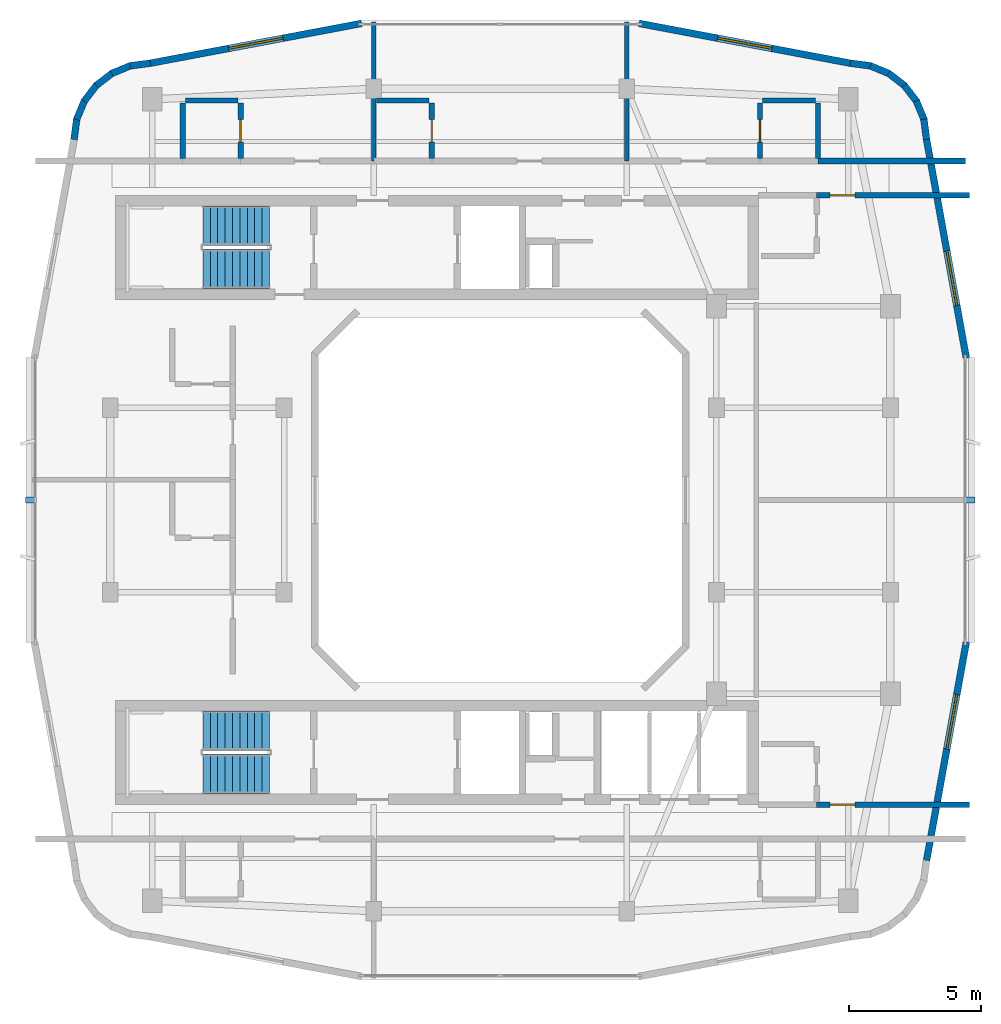
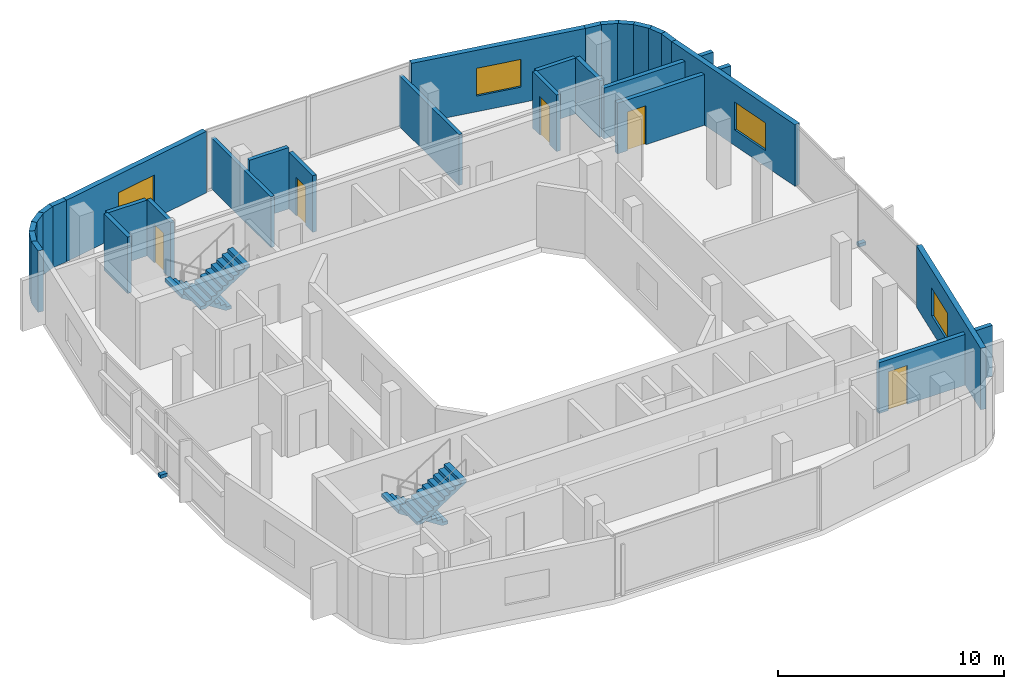
# One storey, part 7 of 10: 29 walls, 5 doors, 4 stair flights, 4 windows, 2 discrete accessories, 9 openings, 2 elements without a shape of their own.
"""IFC4 building model written with IfcOpenShell, lengths in metres."""

from ifc_helpers import new_model, si_unit, derived_unit, direction, frame, frame_2d, origin, origin_2d, place, context, subcontext, project, spatial, polyline, rectangle, outline, extrude, material, layer, layer_set, type_object, element, fill, aggregate, save


model = new_model("IFC4")

# Units and contexts
model_context = context("Model", 3, precision=1e-05, world=origin(), true_north=direction((0.0, 1.0)))
body_context = subcontext(model_context, "Body", "Model", "MODEL_VIEW")
ifc_project = project(units=[si_unit("LENGTHUNIT", "METRE"), si_unit("AREAUNIT", "SQUARE_METRE"), si_unit("VOLUMEUNIT", "CUBIC_METRE"), si_unit("PLANEANGLEUNIT", "RADIAN"), si_unit("MASSUNIT", "GRAM", prefix="KILO"), derived_unit("THERMALTRANSMITTANCEUNIT", [(si_unit("POWERUNIT", "WATT"), 1), (si_unit("LENGTHUNIT", "METRE"), -2), (si_unit("THERMODYNAMICTEMPERATUREUNIT", "KELVIN"), -1)])], contexts=[model_context])

# Site, building, storey
site_placement = place(None, origin())
site = spatial("IfcSite", under=ifc_project, at=site_placement, CompositionType="ELEMENT")
building_placement = place(site_placement, origin())
building = spatial("IfcBuilding", under=site, at=building_placement, Name="Kivonza Crest Hotel", CompositionType="ELEMENT")
storey_placement = place(building_placement, frame((0.0, 0.0, 250.39990234375)))
storey = spatial("IfcBuildingStorey", under=building, at=storey_placement, Name="L68", CompositionType="ELEMENT", Elevation=250.39990234375)

# Walls
ifc_material_1 = material(Name="High-density acoustic masonry inter-tenancy wall", Category="masonry")
ifc_layer_1 = layer(ifc_material_1, 0.179931640625)
ifc_layer_set_1 = layer_set([ifc_layer_1], Name="High-density acoustic masonry inter-tenancy wall")
wall_type_1 = type_object("IfcWallType", Name="WL-ACOU-180", PredefinedType="SOLIDWALL", material=ifc_layer_set_1)
for number, where, z_axis, x_axis, name in (
    (1, (16.199951171875, 37.860107421875, 0.0), (0.0, 0.0, 1.0), (0.0, 1.0, 0.0), "L68 interior partition WA-L68-T1N-DIV1"),
    (2, (25.800048828125, 37.860107421875, 0.0), (0.0, 0.0, 1.0), (0.0, 1.0, 0.0), "L68 interior partition WA-L68-T1N-DIV2"),
):
    element("IfcWall", number, at=place(storey_placement, frame(where, z_axis=z_axis, x_axis=x_axis)), inside=storey, type_object=wall_type_1, Name=name, PredefinedType="SOLIDWALL", context=body_context, shape_type="SweptSolid", body=[
        extrude(rectangle(XDim=5.27978515625, YDim=0.179931640625, at=frame_2d((2.639892578125, 0.0))), origin(), (0.0, 0.0, 1.0), 2.7451171875),
    ])
ifc_material_2 = material(Name="Autoclaved aerated concrete blockwork", Category="masonry")
ifc_layer_2 = layer(ifc_material_2, 0.219970703125)
ifc_layer_set_2 = layer_set([ifc_layer_2], Name="Autoclaved aerated concrete blockwork")
wall_type_2 = type_object("IfcWallType", Name="WL-ACOU-220", PredefinedType="SOLIDWALL", material=ifc_layer_set_2)
wall_1_placement = place(storey_placement, frame((33.050048828125, 37.860107421875, 0.0), z_axis=(0.0, 0.0, 1.0), x_axis=(1.0, 0.0, 0.0)))
element("IfcWall", 3, at=wall_1_placement, inside=storey, type_object=wall_type_2, Name="L68 interior partition WA-L68-N03-XCORR", PredefinedType="SOLIDWALL", context=body_context, shape_type="SweptSolid", body=[
    extrude(rectangle(XDim=5.58984375, YDim=0.219970703125, at=frame_2d((2.794921875, 0.0))), origin(), (0.0, 0.0, 1.0), 2.7451171875),
])

# Wall, opening, door
wall_2_placement = place(storey_placement, frame((33.0, 13.43994140625, 0.0), z_axis=(0.0, 0.0, 1.0), x_axis=(1.0, 0.0, 0.0)))
wall_2 = element("IfcWall", 4, at=wall_2_placement, inside=storey, type_object=wall_type_2, Name="L68 interior partition WA-L68-ES08-MCORR", PredefinedType="SOLIDWALL", context=body_context, shape_type="SweptSolid", body=[
    extrude(rectangle(XDim=5.800048828125, YDim=0.219970703125, at=frame_2d((2.89990234375, 0.0))), origin(), (0.0, 0.0, 1.0), 2.7451171875),
])
opening_1_placement = place(wall_2_placement, frame((0.5, 0.0, 0.0)))
opening_1 = element("IfcOpeningElement", 5, at=opening_1_placement, cuts=wall_2, Name="Opening DU-60", PredefinedType="OPENING", context=body_context, shape_type="SweptSolid", body=[
    extrude(rectangle(XDim=0.949951171875, YDim=2.10009765625, at=frame_2d((0.47509765625, 1.050048828125))), frame((0.0, 0.1201171875, 0.0), z_axis=(0.0, -1.0, 0.0), x_axis=(1.0, 0.0, 0.0)), (0.0, 0.0, 1.0), 0.239990234375),
])
ifc_material_3 = material(Name="Hardwood timber oak", Category="wood")
door_type_1 = type_object("IfcDoorType", Name="DR-UNIT-950", OperationType="NOTDEFINED", PredefinedType="DOOR", material=ifc_material_3)
door_1_placement = place(opening_1_placement, origin())
door_1 = element("IfcDoor", 6, at=door_1_placement, inside=storey, type_object=door_type_1, Name="L68 ES08 guest unit entrance fire door", OperationType="SINGLE_SWING_RIGHT", OverallHeight=2.10009765625, OverallWidth=0.949951171875, PredefinedType="DOOR", context=body_context, shape_type="SweptSolid", body=[
    extrude(rectangle(XDim=0.949951171875, YDim=2.10009765625, at=frame_2d((0.47509765625, 1.050048828125))), frame((0.0, 0.02490234375, 0.0), z_axis=(0.0, -1.0, 0.0), x_axis=(1.0, 0.0, 0.0)), (0.0, 0.0, 1.0), 0.050048828125),
])
fill(opening_1, door_1)

wall_3_placement = place(storey_placement, frame((33.0, 36.56005859375, 0.0), z_axis=(0.0, 0.0, 1.0), x_axis=(1.0, 0.0, 0.0)))
wall_3 = element("IfcWall", 7, at=wall_3_placement, inside=storey, type_object=wall_type_2, Name="L68 interior partition WA-L68-EN09-MCORR", PredefinedType="SOLIDWALL", context=body_context, shape_type="SweptSolid", body=[
    extrude(rectangle(XDim=5.800048828125, YDim=0.219970703125, at=frame_2d((2.89990234375, 0.0))), origin(), (0.0, 0.0, 1.0), 2.7451171875),
])
opening_2_placement = place(wall_3_placement, frame((0.5, 0.0, 0.0)))
opening_2 = element("IfcOpeningElement", 8, at=opening_2_placement, cuts=wall_3, Name="Opening DU-60", PredefinedType="OPENING", context=body_context, shape_type="SweptSolid", body=[
    extrude(rectangle(XDim=0.949951171875, YDim=2.10009765625, at=frame_2d((0.47509765625, 1.050048828125))), frame((0.0, 0.1201171875, 0.0), z_axis=(0.0, -1.0, 0.0), x_axis=(1.0, 0.0, 0.0)), (0.0, 0.0, 1.0), 0.239990234375),
])
door_2_placement = place(opening_2_placement, frame((0.949951171875, 0.0, 0.0), z_axis=(0.0, 0.0, 1.0), x_axis=(-1.0, 0.0, 0.0)))
door_2 = element("IfcDoor", 9, at=door_2_placement, inside=storey, type_object=door_type_1, Name="L68 EN09 guest unit entrance fire door", OperationType="SINGLE_SWING_LEFT", OverallHeight=2.10009765625, OverallWidth=0.949951171875, PredefinedType="DOOR", context=body_context, shape_type="SweptSolid", body=[
    extrude(rectangle(XDim=0.949951171875, YDim=2.10009765625, at=frame_2d((0.47509765625, 1.050048828125))), frame((0.0, 0.02490234375, 0.0), z_axis=(0.0, -1.0, 0.0), x_axis=(1.0, 0.0, 0.0)), (0.0, 0.0, 1.0), 0.050048828125),
])
fill(opening_2, door_2)

# Wall, opening, window
ifc_material_4 = material(Name="Precast concrete C40/50", Category="concrete")
ifc_layer_3 = layer(ifc_material_4, 0.260009765625)
ifc_layer_set_3 = layer_set([ifc_layer_3], Name="Precast concrete C40/50")
wall_type_3 = type_object("IfcWallType", Name="WL-EXT-260", PredefinedType="STANDARD", material=ifc_layer_set_3)
wall_4_placement = place(storey_placement, frame((37.1708984375, 11.31494140625, 0.0), z_axis=(0.0, 0.0, 1.0), x_axis=(0.179061111398, 0.983837953316, 0.0)))
wall_4 = element("IfcWall", 10, at=wall_4_placement, inside=storey, type_object=wall_type_3, Name="L68 T1 exterior insulated wall 16", PredefinedType="STANDARD", context=body_context, shape_type="SweptSolid", body=[
    extrude(rectangle(XDim=8.4384765625, YDim=0.260009765625, at=frame_2d((4.21923828125, 0.0))), origin(), (0.0, 0.0, 1.0), 3.320068359375),
])
opening_3_placement = place(wall_4_placement, frame((4.30810546875, 0.0, 0.85009765625)))
opening_3 = element("IfcOpeningElement", 11, at=opening_3_placement, cuts=wall_4, Name="Opening WN-04", PredefinedType="OPENING", context=body_context, shape_type="SweptSolid", body=[
    extrude(rectangle(XDim=2.10009765625, YDim=1.5, at=frame_2d((1.050048828125, 0.75))), frame((0.0, 0.14013671875, 0.0), z_axis=(0.0, -1.0, 0.0), x_axis=(1.0, 0.0, 0.0)), (0.0, 0.0, 1.0), 0.280029296875),
])
ifc_material_5 = material(Name="Thermally broken bronze aluminium and low-E double glazing", Category="aluminium")
window_type = type_object("IfcWindowType", Name="WN-210x150", PartitioningType="DOUBLE_PANEL_VERTICAL", PredefinedType="WINDOW", material=ifc_material_5)
window_1_placement = place(opening_3_placement, origin())
window_1 = element("IfcWindow", 12, at=window_1_placement, inside=storey, type_object=window_type, Name="L68 T1 facade window 16", OverallHeight=1.5, OverallWidth=2.10009765625, PartitioningType="SINGLE_PANEL", PredefinedType="WINDOW", context=body_context, shape_type="SweptSolid", body=[
    extrude(rectangle(XDim=2.10009765625, YDim=1.5, at=frame_2d((1.050048828125, 0.75))), frame((0.0, 0.030029296875, 0.0), z_axis=(0.0, -1.0, 0.0), x_axis=(1.0, 0.0, 0.0)), (0.0, 0.0, 1.0), 0.06005859375),
])
fill(opening_3, window_1)

wall_5_placement = place(storey_placement, frame((38.681884765625, 30.383056640625, 0.0), z_axis=(0.0, 0.0, 1.0), x_axis=(-0.179061111398, 0.983837953316, 0.0)))
wall_5 = element("IfcWall", 13, at=wall_5_placement, inside=storey, type_object=wall_type_3, Name="L68 T1 exterior insulated wall 18", PredefinedType="STANDARD", context=body_context, shape_type="SweptSolid", body=[
    extrude(rectangle(XDim=8.4384765625, YDim=0.260009765625, at=frame_2d((4.21923828125, 0.0))), origin(), (0.0, 0.0, 1.0), 3.320068359375),
])
opening_4_placement = place(wall_5_placement, frame((2.030029296875, 0.0, 0.85009765625)))
opening_4 = element("IfcOpeningElement", 14, at=opening_4_placement, cuts=wall_5, Name="Opening WN-04", PredefinedType="OPENING", context=body_context, shape_type="SweptSolid", body=[
    extrude(rectangle(XDim=2.10009765625, YDim=1.5, at=frame_2d((1.050048828125, 0.75))), frame((0.0, 0.14013671875, 0.0), z_axis=(0.0, -1.0, 0.0), x_axis=(1.0, 0.0, 0.0)), (0.0, 0.0, 1.0), 0.280029296875),
])
window_2_placement = place(opening_4_placement, origin())
window_2 = element("IfcWindow", 15, at=window_2_placement, inside=storey, type_object=window_type, Name="L68 T1 facade window 18", OverallHeight=1.5, OverallWidth=2.10009765625, PartitioningType="SINGLE_PANEL", PredefinedType="WINDOW", context=body_context, shape_type="SweptSolid", body=[
    extrude(rectangle(XDim=2.10009765625, YDim=1.5, at=frame_2d((1.050048828125, 0.75))), frame((0.0, 0.030029296875, 0.0), z_axis=(0.0, -1.0, 0.0), x_axis=(1.0, 0.0, 0.0)), (0.0, 0.0, 1.0), 0.06005859375),
])
fill(opening_4, window_2)

# Walls
wall_6_placement = place(storey_placement, frame((37.172119140625, 38.675048828125, 0.0), z_axis=(0.0, 0.0, 1.0), x_axis=(-0.130729574419, 0.991418064377, 0.0)))
element("IfcWall", 16, at=wall_6_placement, inside=storey, type_object=wall_type_3, Name="L68 T1 exterior insulated wall 19", PredefinedType="STANDARD", context=body_context, shape_type="SweptSolid", body=[
    extrude(rectangle(XDim=0.780517578125, YDim=0.260009765625, at=frame_2d((0.39013671875, 0.0))), origin(), (0.0, 0.0, 1.0), 3.320068359375),
])
wall_7_placement = place(storey_placement, frame((37.087890625, 39.403076171875, 0.0), z_axis=(0.0, 0.0, 1.0), x_axis=(-0.382900540965, 0.923789573295, 0.0)))
element("IfcWall", 17, at=wall_7_placement, inside=storey, type_object=wall_type_3, Name="L68 T1 exterior insulated wall 20", PredefinedType="STANDARD", context=body_context, shape_type="SweptSolid", body=[
    extrude(rectangle(XDim=0.798828125, YDim=0.260009765625, at=frame_2d((0.3994140625, 0.0))), origin(), (0.0, 0.0, 1.0), 3.320068359375),
])
wall_8_placement = place(storey_placement, frame((36.81005859375, 40.10107421875, 0.0), z_axis=(0.0, 0.0, 1.0), x_axis=(-0.60916352983, 0.793044635519, 0.0)))
element("IfcWall", 18, at=wall_8_placement, inside=storey, type_object=wall_type_3, Name="L68 T1 exterior insulated wall 21", PredefinedType="STANDARD", context=body_context, shape_type="SweptSolid", body=[
    extrude(rectangle(XDim=0.7978515625, YDim=0.260009765625, at=frame_2d((0.39892578125, 0.0))), origin(), (0.0, 0.0, 1.0), 3.320068359375),
])
wall_9_placement = place(storey_placement, frame((36.362060546875, 40.702880859375, 0.0), z_axis=(0.0, 0.0, 1.0), x_axis=(-0.793158129381, 0.609015748398, 0.0)))
element("IfcWall", 19, at=wall_9_placement, inside=storey, type_object=wall_type_3, Name="L68 T1 exterior insulated wall 22", PredefinedType="STANDARD", context=body_context, shape_type="SweptSolid", body=[
    extrude(rectangle(XDim=0.798095703125, YDim=0.260009765625, at=frame_2d((0.39892578125, 0.0))), origin(), (0.0, 0.0, 1.0), 3.320068359375),
])
wall_10_placement = place(storey_placement, frame((35.77294921875, 41.16796875, 0.0), z_axis=(0.0, 0.0, 1.0), x_axis=(-0.923681457047, 0.383161279238, 0.0)))
element("IfcWall", 20, at=wall_10_placement, inside=storey, type_object=wall_type_3, Name="L68 T1 exterior insulated wall 23", PredefinedType="STANDARD", context=body_context, shape_type="SweptSolid", body=[
    extrude(rectangle(XDim=0.799072265625, YDim=0.260009765625, at=frame_2d((0.3994140625, 0.0))), origin(), (0.0, 0.0, 1.0), 3.320068359375),
])
wall_11_placement = place(storey_placement, frame((35.083984375, 41.466064453125, 0.0), z_axis=(0.0, 0.0, 1.0), x_axis=(-0.99153354416, 0.129850802102, 0.0)))
element("IfcWall", 21, at=wall_11_placement, inside=storey, type_object=wall_type_3, Name="L68 T1 exterior insulated wall 24", PredefinedType="STANDARD", context=body_context, shape_type="SweptSolid", body=[
    extrude(rectangle(XDim=0.81591796875, YDim=0.260009765625, at=frame_2d((0.407958984375, 0.0))), origin(), (0.0, 0.0, 1.0), 3.320068359375),
])

# Wall, opening, window
wall_12_placement = place(storey_placement, frame((34.283935546875, 41.571044921875, 0.0), z_axis=(0.0, 0.0, 1.0), x_axis=(-0.982719489139, 0.185101068789, 0.0)))
wall_12 = element("IfcWall", 22, at=wall_12_placement, inside=storey, type_object=wall_type_3, Name="L68 T1 exterior insulated wall 25", PredefinedType="STANDARD", context=body_context, shape_type="SweptSolid", body=[
    extrude(rectangle(XDim=8.1630859375, YDim=0.260009765625, at=frame_2d((4.08154296875, 0.0))), origin(), (0.0, 0.0, 1.0), 3.320068359375),
])
opening_5_placement = place(wall_12_placement, frame((3.031982421875, 0.0, 0.85009765625)))
opening_5 = element("IfcOpeningElement", 23, at=opening_5_placement, cuts=wall_12, Name="Opening WN-04", PredefinedType="OPENING", context=body_context, shape_type="SweptSolid", body=[
    extrude(rectangle(XDim=2.10009765625, YDim=1.5, at=frame_2d((1.050048828125, 0.75))), frame((0.0, 0.14013671875, 0.0), z_axis=(0.0, -1.0, 0.0), x_axis=(1.0, 0.0, 0.0)), (0.0, 0.0, 1.0), 0.280029296875),
])
window_3_placement = place(opening_5_placement, origin())
window_3 = element("IfcWindow", 24, at=window_3_placement, inside=storey, type_object=window_type, Name="L68 T1 facade window 25", OverallHeight=1.5, OverallWidth=2.10009765625, PartitioningType="SINGLE_PANEL", PredefinedType="WINDOW", context=body_context, shape_type="SweptSolid", body=[
    extrude(rectangle(XDim=2.10009765625, YDim=1.5, at=frame_2d((1.050048828125, 0.75))), frame((0.0, 0.030029296875, 0.0), z_axis=(0.0, -1.0, 0.0), x_axis=(1.0, 0.0, 0.0)), (0.0, 0.0, 1.0), 0.06005859375),
])
fill(opening_5, window_3)

wall_13_placement = place(storey_placement, frame((15.738037109375, 43.08203125, 0.0), z_axis=(0.0, 0.0, 1.0), x_axis=(-0.982719489139, -0.185101068789, 0.0)))
wall_13 = element("IfcWall", 25, at=wall_13_placement, inside=storey, type_object=wall_type_3, Name="L68 T1 exterior insulated wall 27", PredefinedType="STANDARD", context=body_context, shape_type="SweptSolid", body=[
    extrude(rectangle(XDim=8.1630859375, YDim=0.260009765625, at=frame_2d((4.08154296875, 0.0))), origin(), (0.0, 0.0, 1.0), 3.320068359375),
])
opening_6_placement = place(wall_13_placement, frame((3.031982421875, 0.0, 0.85009765625)))
opening_6 = element("IfcOpeningElement", 26, at=opening_6_placement, cuts=wall_13, Name="Opening WN-04", PredefinedType="OPENING", context=body_context, shape_type="SweptSolid", body=[
    extrude(rectangle(XDim=2.10009765625, YDim=1.5, at=frame_2d((1.050048828125, 0.75))), frame((0.0, 0.14013671875, 0.0), z_axis=(0.0, -1.0, 0.0), x_axis=(1.0, 0.0, 0.0)), (0.0, 0.0, 1.0), 0.280029296875),
])
window_4_placement = place(opening_6_placement, origin())
window_4 = element("IfcWindow", 27, at=window_4_placement, inside=storey, type_object=window_type, Name="L68 T1 facade window 27", OverallHeight=1.5, OverallWidth=2.10009765625, PartitioningType="SINGLE_PANEL", PredefinedType="WINDOW", context=body_context, shape_type="SweptSolid", body=[
    extrude(rectangle(XDim=2.10009765625, YDim=1.5, at=frame_2d((1.050048828125, 0.75))), frame((0.0, 0.030029296875, 0.0), z_axis=(0.0, -1.0, 0.0), x_axis=(1.0, 0.0, 0.0)), (0.0, 0.0, 1.0), 0.06005859375),
])
fill(opening_6, window_4)

# Walls
wall_14_placement = place(storey_placement, frame((7.72509765625, 41.572021484375, 0.0), z_axis=(0.0, 0.0, 1.0), x_axis=(-0.991423406861, -0.130689052056, 0.0)))
element("IfcWall", 28, at=wall_14_placement, inside=storey, type_object=wall_type_3, Name="L68 T1 exterior insulated wall 28", PredefinedType="STANDARD", context=body_context, shape_type="SweptSolid", body=[
    extrude(rectangle(XDim=0.78076171875, YDim=0.260009765625, at=frame_2d((0.390380859375, 0.0))), origin(), (0.0, 0.0, 1.0), 3.320068359375),
])
wall_15_placement = place(storey_placement, frame((6.9970703125, 41.488037109375, 0.0), z_axis=(0.0, 0.0, 1.0), x_axis=(-0.923681457047, -0.383161279238, 0.0)))
element("IfcWall", 29, at=wall_15_placement, inside=storey, type_object=wall_type_3, Name="L68 T1 exterior insulated wall 29", PredefinedType="STANDARD", context=body_context, shape_type="SweptSolid", body=[
    extrude(rectangle(XDim=0.799072265625, YDim=0.260009765625, at=frame_2d((0.3994140625, 0.0))), origin(), (0.0, 0.0, 1.0), 3.320068359375),
])
for number, where, z_axis, x_axis, name in (
    (30, (6.299072265625, 41.2099609375, 0.0), (0.0, 0.0, 1.0), (-0.793305889705, -0.608823262828, 0.0), "L68 T1 exterior insulated wall 30"),
    (31, (5.697021484375, 40.761962890625, 0.0), (0.0, 0.0, 1.0), (-0.609015748398, -0.793158129381, 0.0), "L68 T1 exterior insulated wall 31"),
):
    element("IfcWall", number, at=place(storey_placement, frame(where, z_axis=z_axis, x_axis=x_axis)), inside=storey, type_object=wall_type_3, Name=name, PredefinedType="STANDARD", context=body_context, shape_type="SweptSolid", body=[
        extrude(rectangle(XDim=0.798095703125, YDim=0.260009765625, at=frame_2d((0.39892578125, 0.0))), origin(), (0.0, 0.0, 1.0), 3.320068359375),
    ])
wall_16_placement = place(storey_placement, frame((5.23193359375, 40.173095703125, 0.0), z_axis=(0.0, 0.0, 1.0), x_axis=(-0.382900540965, -0.923789573295, 0.0)))
element("IfcWall", 32, at=wall_16_placement, inside=storey, type_object=wall_type_3, Name="L68 T1 exterior insulated wall 32", PredefinedType="STANDARD", context=body_context, shape_type="SweptSolid", body=[
    extrude(rectangle(XDim=0.798828125, YDim=0.260009765625, at=frame_2d((0.3994140625, 0.0))), origin(), (0.0, 0.0, 1.0), 3.320068359375),
])
wall_17_placement = place(storey_placement, frame((4.93408203125, 39.48388671875, 0.0), z_axis=(0.0, 0.0, 1.0), x_axis=(-0.130183552987, -0.991489910454, 0.0)))
element("IfcWall", 33, at=wall_17_placement, inside=storey, type_object=wall_type_3, Name="L68 T1 exterior insulated wall 33", PredefinedType="STANDARD", context=body_context, shape_type="SweptSolid", body=[
    extrude(rectangle(XDim=0.815673828125, YDim=0.260009765625, at=frame_2d((0.40771484375, 0.0))), origin(), (0.0, 0.0, 1.0), 3.320068359375),
])

# Wall, opening, door
ifc_material_6 = material(Name="Moisture-resistant plumbing chase partition wall", Category="gypsum")
ifc_layer_4 = layer(ifc_material_6, 0.199951171875)
ifc_layer_set_4 = layer_set([ifc_layer_4], Name="Moisture-resistant plumbing chase partition wall")
wall_type_4 = type_object("IfcWallType", Name="WL-PLUMB-200", PredefinedType="PLUMBINGWALL", material=ifc_layer_set_4)
wall_18_placement = place(storey_placement, frame((11.14990234375, 37.9599609375, 0.0), z_axis=(0.0, 0.0, 1.0), x_axis=(0.0, 1.0, 0.0)))
wall_18 = element("IfcWall", 34, at=wall_18_placement, inside=storey, type_object=wall_type_4, Name="L68 interior partition WW-L68-N01-BV", PredefinedType="PLUMBINGWALL", context=body_context, shape_type="SweptSolid", body=[
    extrude(rectangle(XDim=2.10009765625, YDim=0.199951171875, at=frame_2d((1.050048828125, 0.0))), origin(), (0.0, 0.0, 1.0), 3.05517578125),
])
opening_7_placement = place(wall_18_placement, frame((0.625, 0.0, 0.0)))
opening_7 = element("IfcOpeningElement", 35, at=opening_7_placement, cuts=wall_18, Name="Opening DI-85", PredefinedType="OPENING", context=body_context, shape_type="SweptSolid", body=[
    extrude(rectangle(XDim=0.85009765625, YDim=2.10009765625, at=frame_2d((0.425048828125, 1.050048828125))), frame((0.0, 0.10986328125, 0.0), z_axis=(0.0, -1.0, 0.0), x_axis=(1.0, 0.0, 0.0)), (0.0, 0.0, 1.0), 0.219970703125),
])
door_type_2 = type_object("IfcDoorType", Name="DR-INT-850", OperationType="NOTDEFINED", PredefinedType="DOOR", material=ifc_material_3)
door_3_placement = place(opening_7_placement, frame((0.85009765625, 0.0, 0.0), z_axis=(0.0, 0.0, 1.0), x_axis=(-1.0, 0.0, 0.0)))
door_3 = element("IfcDoor", 36, at=door_3_placement, inside=storey, type_object=door_type_2, Name="L68 N01 en-suite bathroom door", OperationType="SINGLE_SWING_RIGHT", OverallHeight=2.10009765625, OverallWidth=0.85009765625, PredefinedType="DOOR", context=body_context, shape_type="SweptSolid", body=[
    extrude(rectangle(XDim=0.85009765625, YDim=2.10009765625, at=frame_2d((0.425048828125, 1.050048828125))), frame((0.0, 0.02490234375, 0.0), z_axis=(0.0, -1.0, 0.0), x_axis=(1.0, 0.0, 0.0)), (0.0, 0.0, 1.0), 0.050048828125),
])
fill(opening_7, door_3)

# Walls
wall_19_placement = place(storey_placement, frame((9.050048828125, 40.159912109375, 0.0), z_axis=(0.0, 0.0, 1.0), x_axis=(1.0, 0.0, 0.0)))
element("IfcWall", 37, at=wall_19_placement, inside=storey, type_object=wall_type_4, Name="L68 interior partition WW-L68-N01-BH", PredefinedType="PLUMBINGWALL", context=body_context, shape_type="SweptSolid", body=[
    extrude(rectangle(XDim=2.0, YDim=0.199951171875, at=frame_2d((1.0, 0.0))), origin(), (0.0, 0.0, 1.0), 3.01513671875),
])
wall_20_placement = place(storey_placement, frame((8.949951171875, 37.9599609375, 0.0), z_axis=(0.0, 0.0, 1.0), x_axis=(0.0, 1.0, 0.0)))
element("IfcWall", 38, at=wall_20_placement, inside=storey, type_object=wall_type_4, Name="L68 interior partition WW-L68-N01-BVW", PredefinedType="PLUMBINGWALL", context=body_context, shape_type="SweptSolid", body=[
    extrude(rectangle(XDim=2.10009765625, YDim=0.199951171875, at=frame_2d((1.050048828125, 0.0))), origin(), (0.0, 0.0, 1.0), 3.05517578125),
])

# Wall, opening, door
wall_21_placement = place(storey_placement, frame((18.39990234375, 37.9599609375, 0.0), z_axis=(0.0, 0.0, 1.0), x_axis=(0.0, 1.0, 0.0)))
wall_21 = element("IfcWall", 39, at=wall_21_placement, inside=storey, type_object=wall_type_4, Name="L68 interior partition WW-L68-N02-BV", PredefinedType="PLUMBINGWALL", context=body_context, shape_type="SweptSolid", body=[
    extrude(rectangle(XDim=2.10009765625, YDim=0.199951171875, at=frame_2d((1.050048828125, 0.0))), origin(), (0.0, 0.0, 1.0), 3.05517578125),
])
opening_8_placement = place(wall_21_placement, frame((0.625, 0.0, 0.0)))
opening_8 = element("IfcOpeningElement", 40, at=opening_8_placement, cuts=wall_21, Name="Opening DI-85", PredefinedType="OPENING", context=body_context, shape_type="SweptSolid", body=[
    extrude(rectangle(XDim=0.85009765625, YDim=2.10009765625, at=frame_2d((0.425048828125, 1.050048828125))), frame((0.0, 0.10986328125, 0.0), z_axis=(0.0, -1.0, 0.0), x_axis=(1.0, 0.0, 0.0)), (0.0, 0.0, 1.0), 0.219970703125),
])
door_4_placement = place(opening_8_placement, frame((0.85009765625, 0.0, 0.0), z_axis=(0.0, 0.0, 1.0), x_axis=(-1.0, 0.0, 0.0)))
door_4 = element("IfcDoor", 41, at=door_4_placement, inside=storey, type_object=door_type_2, Name="L68 N02 en-suite bathroom door", OperationType="SINGLE_SWING_LEFT", OverallHeight=2.10009765625, OverallWidth=0.85009765625, PredefinedType="DOOR", context=body_context, shape_type="SweptSolid", body=[
    extrude(rectangle(XDim=0.85009765625, YDim=2.10009765625, at=frame_2d((0.425048828125, 1.050048828125))), frame((0.0, 0.02490234375, 0.0), z_axis=(0.0, -1.0, 0.0), x_axis=(1.0, 0.0, 0.0)), (0.0, 0.0, 1.0), 0.050048828125),
])
fill(opening_8, door_4)

# Wall
wall_22_placement = place(storey_placement, frame((16.300048828125, 40.159912109375, 0.0), z_axis=(0.0, 0.0, 1.0), x_axis=(1.0, 0.0, 0.0)))
element("IfcWall", 42, at=wall_22_placement, inside=storey, type_object=wall_type_4, Name="L68 interior partition WW-L68-N02-BH", PredefinedType="PLUMBINGWALL", context=body_context, shape_type="SweptSolid", body=[
    extrude(rectangle(XDim=2.0, YDim=0.199951171875, at=frame_2d((1.0, 0.0))), origin(), (0.0, 0.0, 1.0), 3.320068359375),
])

# Wall, opening, door
wall_23_placement = place(storey_placement, frame((30.85009765625, 37.9599609375, 0.0), z_axis=(0.0, 0.0, 1.0), x_axis=(0.0, 1.0, 0.0)))
wall_23 = element("IfcWall", 43, at=wall_23_placement, inside=storey, type_object=wall_type_4, Name="L68 interior partition WW-L68-N03-BV", PredefinedType="PLUMBINGWALL", context=body_context, shape_type="SweptSolid", body=[
    extrude(rectangle(XDim=2.10009765625, YDim=0.199951171875, at=frame_2d((1.050048828125, 0.0))), origin(), (0.0, 0.0, 1.0), 3.05517578125),
])
opening_9_placement = place(wall_23_placement, frame((0.625, 0.0, 0.0)))
opening_9 = element("IfcOpeningElement", 44, at=opening_9_placement, cuts=wall_23, Name="Opening DI-85", PredefinedType="OPENING", context=body_context, shape_type="SweptSolid", body=[
    extrude(rectangle(XDim=0.85009765625, YDim=2.10009765625, at=frame_2d((0.425048828125, 1.050048828125))), frame((0.0, 0.10986328125, 0.0), z_axis=(0.0, -1.0, 0.0), x_axis=(1.0, 0.0, 0.0)), (0.0, 0.0, 1.0), 0.219970703125),
])
door_5_placement = place(opening_9_placement, origin())
door_5 = element("IfcDoor", 45, at=door_5_placement, inside=storey, type_object=door_type_2, Name="L68 N03 en-suite bathroom door", OperationType="SINGLE_SWING_RIGHT", OverallHeight=2.10009765625, OverallWidth=0.85009765625, PredefinedType="DOOR", context=body_context, shape_type="SweptSolid", body=[
    extrude(rectangle(XDim=0.85009765625, YDim=2.10009765625, at=frame_2d((0.425048828125, 1.050048828125))), frame((0.0, 0.02490234375, 0.0), z_axis=(0.0, -1.0, 0.0), x_axis=(1.0, 0.0, 0.0)), (0.0, 0.0, 1.0), 0.050048828125),
])
fill(opening_9, door_5)

# Walls
wall_24_placement = place(storey_placement, frame((30.949951171875, 40.159912109375, 0.0), z_axis=(0.0, 0.0, 1.0), x_axis=(1.0, 0.0, 0.0)))
element("IfcWall", 46, at=wall_24_placement, inside=storey, type_object=wall_type_4, Name="L68 interior partition WW-L68-N03-BH", PredefinedType="PLUMBINGWALL", context=body_context, shape_type="SweptSolid", body=[
    extrude(rectangle(XDim=2.0, YDim=0.199951171875, at=frame_2d((1.0, 0.0))), origin(), (0.0, 0.0, 1.0), 3.01513671875),
])
wall_25_placement = place(storey_placement, frame((33.050048828125, 37.9599609375, 0.0), z_axis=(0.0, 0.0, 1.0), x_axis=(0.0, 1.0, 0.0)))
element("IfcWall", 47, at=wall_25_placement, inside=storey, type_object=wall_type_4, Name="L68 interior partition WW-L68-N03-BVE", PredefinedType="PLUMBINGWALL", context=body_context, shape_type="SweptSolid", body=[
    extrude(rectangle(XDim=2.10009765625, YDim=0.199951171875, at=frame_2d((1.050048828125, 0.0))), origin(), (0.0, 0.0, 1.0), 3.05517578125),
])

# Stair, stair flights
ifc_material_7 = material(Name="Concrete C40/50", Category="concrete")
stair_type = type_object("IfcStairType", Name="ST-DL-20R", PredefinedType="HALF_TURN_STAIR", material=ifc_material_7)
stair_1_placement = place(storey_placement, origin())
stair_1 = element("IfcStair", 48, at=stair_1_placement, inside=storey, type_object=stair_type, Name="L68 Protected Exit Stair ST-T1-N", PredefinedType="HALF_TURN_STAIR")
stair_flight_type = type_object("IfcStairFlightType", Name="SFL-RC-10R", PredefinedType="STRAIGHT", material=ifc_material_7)
stair_flight_1_placement = place(storey_placement, frame((12.239990234375, 35.409912109375, 0.0), z_axis=(0.0, 0.0, 1.0), x_axis=(-1.0, 0.0, 0.0)))
stair_flight_1 = element("IfcStairFlight", 49, at=stair_flight_1_placement, type_object=stair_flight_type, Name="ST-T1-N flight 1", NumberOfRisers=10, NumberOfTreads=9, PredefinedType="STRAIGHT", RiserHeight=0.18, TreadLength=0.28, context=body_context, shape_type="SweptSolid", body=[
    extrude(outline(polyline([(0.0, 0.0), (0.0, 0.179931640625), (0.280029296875, 0.179931640625), (0.280029296875, 0.360107421875), (0.56005859375, 0.360107421875), (0.56005859375, 0.5400390625), (0.840087890625, 0.5400390625), (0.840087890625, 0.719970703125), (1.1201171875, 0.719970703125), (1.1201171875, 0.89990234375), (1.39990234375, 0.89990234375), (1.39990234375, 1.080078125), (1.679931640625, 1.080078125), (1.679931640625, 1.260009765625), (1.9599609375, 1.260009765625), (1.9599609375, 1.43994140625), (2.239990234375, 1.43994140625), (2.239990234375, 1.6201171875), (2.52001953125, 1.6201171875), (2.52001953125, 1.800048828125), (2.52001953125, 1.44189453125), (0.277099609375, 0.0), (0.0, 0.0)])), frame((0.0, 0.75, 0.0), z_axis=(0.0, -1.0, 0.0), x_axis=(1.0, 0.0, 0.0)), (0.0, 0.0, 1.0), 1.5),
])
stair_flight_2_placement = place(storey_placement, frame((9.719970703125, 33.77001953125, 1.800048828125), z_axis=(0.0, 0.0, 1.0), x_axis=(1.0, 0.0, 0.0)))
stair_flight_2 = element("IfcStairFlight", 50, at=stair_flight_2_placement, type_object=stair_flight_type, Name="ST-T1-N flight 2", NumberOfRisers=10, NumberOfTreads=9, PredefinedType="STRAIGHT", RiserHeight=0.18, TreadLength=0.28, context=body_context, shape_type="SweptSolid", body=[
    extrude(outline(polyline([(0.0, 0.0), (0.0, 0.179931640625), (0.280029296875, 0.179931640625), (0.280029296875, 0.360107421875), (0.56005859375, 0.360107421875), (0.56005859375, 0.5400390625), (0.840087890625, 0.5400390625), (0.840087890625, 0.719970703125), (1.1201171875, 0.719970703125), (1.1201171875, 0.89990234375), (1.39990234375, 0.89990234375), (1.39990234375, 1.080078125), (1.679931640625, 1.080078125), (1.679931640625, 1.260009765625), (1.9599609375, 1.260009765625), (1.9599609375, 1.43994140625), (2.239990234375, 1.43994140625), (2.239990234375, 1.6201171875), (2.52001953125, 1.6201171875), (2.52001953125, 1.800048828125), (2.52001953125, 1.44189453125), (0.277099609375, 0.0), (0.0, 0.0)])), frame((0.0, 0.75, 0.0), z_axis=(0.0, -1.0, 0.0), x_axis=(1.0, 0.0, 0.0)), (0.0, 0.0, 1.0), 1.5),
])
aggregate(stair_1, [stair_flight_1, stair_flight_2])

stair_2_placement = place(storey_placement, origin())
stair_2 = element("IfcStair", 51, at=stair_2_placement, inside=storey, type_object=stair_type, Name="L68 Protected Exit Stair ST-T1-S", PredefinedType="HALF_TURN_STAIR")
stair_flight_3_placement = place(storey_placement, frame((12.239990234375, 16.25, 0.0), z_axis=(0.0, 0.0, 1.0), x_axis=(-1.0, 0.0, 0.0)))
stair_flight_3 = element("IfcStairFlight", 52, at=stair_flight_3_placement, type_object=stair_flight_type, Name="ST-T1-S flight 1", NumberOfRisers=10, NumberOfTreads=9, PredefinedType="STRAIGHT", RiserHeight=0.18, TreadLength=0.28, context=body_context, shape_type="SweptSolid", body=[
    extrude(outline(polyline([(0.0, 0.0), (0.0, 0.179931640625), (0.280029296875, 0.179931640625), (0.280029296875, 0.360107421875), (0.56005859375, 0.360107421875), (0.56005859375, 0.5400390625), (0.840087890625, 0.5400390625), (0.840087890625, 0.719970703125), (1.1201171875, 0.719970703125), (1.1201171875, 0.89990234375), (1.39990234375, 0.89990234375), (1.39990234375, 1.080078125), (1.679931640625, 1.080078125), (1.679931640625, 1.260009765625), (1.9599609375, 1.260009765625), (1.9599609375, 1.43994140625), (2.239990234375, 1.43994140625), (2.239990234375, 1.6201171875), (2.52001953125, 1.6201171875), (2.52001953125, 1.800048828125), (2.52001953125, 1.44189453125), (0.277099609375, 0.0), (0.0, 0.0)])), frame((0.0, 0.75, 0.0), z_axis=(0.0, -1.0, 0.0), x_axis=(1.0, 0.0, 0.0)), (0.0, 0.0, 1.0), 1.5),
])
stair_flight_4_placement = place(storey_placement, frame((9.719970703125, 14.610107421875, 1.800048828125), z_axis=(0.0, 0.0, 1.0), x_axis=(1.0, 0.0, 0.0)))
stair_flight_4 = element("IfcStairFlight", 53, at=stair_flight_4_placement, type_object=stair_flight_type, Name="ST-T1-S flight 2", NumberOfRisers=10, NumberOfTreads=9, PredefinedType="STRAIGHT", RiserHeight=0.18, TreadLength=0.28, context=body_context, shape_type="SweptSolid", body=[
    extrude(outline(polyline([(0.0, 0.0), (0.0, 0.179931640625), (0.280029296875, 0.179931640625), (0.280029296875, 0.360107421875), (0.56005859375, 0.360107421875), (0.56005859375, 0.5400390625), (0.840087890625, 0.5400390625), (0.840087890625, 0.719970703125), (1.1201171875, 0.719970703125), (1.1201171875, 0.89990234375), (1.39990234375, 0.89990234375), (1.39990234375, 1.080078125), (1.679931640625, 1.080078125), (1.679931640625, 1.260009765625), (1.9599609375, 1.260009765625), (1.9599609375, 1.43994140625), (2.239990234375, 1.43994140625), (2.239990234375, 1.6201171875), (2.52001953125, 1.6201171875), (2.52001953125, 1.800048828125), (2.52001953125, 1.44189453125), (0.277099609375, 0.0), (0.0, 0.0)])), frame((0.0, 0.75, 0.0), z_axis=(0.0, -1.0, 0.0), x_axis=(1.0, 0.0, 0.0)), (0.0, 0.0, 1.0), 1.5),
])
aggregate(stair_2, [stair_flight_3, stair_flight_4])

# Discrete accessories
ifc_material_8 = material(Name="Stainless steel 316", Category="steel")
discrete_accessory_type = type_object("IfcDiscreteAccessoryType", Name="AC-BRACKET-240", PredefinedType="BRACKET", material=ifc_material_8)
for number, where, z_axis, x_axis, name in (
    (54, (38.840087890625, 25.0, -0.009765625), (0.0, 0.0, 1.0), (0.0, 1.0, 0.0), "L68 terracotta baguette support bracket CW-T1-L68-17"),
    (55, (3.159912109375, 25.0, -0.009765625), (0.0, 0.0, 1.0), (0.0, -1.0, 0.0), "L68 terracotta baguette support bracket CW-T1-L68-35"),
):
    element("IfcDiscreteAccessory", number, at=place(storey_placement, frame(where, z_axis=z_axis, x_axis=x_axis)), inside=storey, type_object=discrete_accessory_type, Name=name, PredefinedType="BRACKET", context=body_context, shape_type="SweptSolid", body=[
        extrude(rectangle(XDim=0.219970703125, YDim=0.340087890625, at=origin_2d()), origin(), (0.0, 0.0, 1.0), 0.179931640625),
    ])

save(model, "model.ifc")
